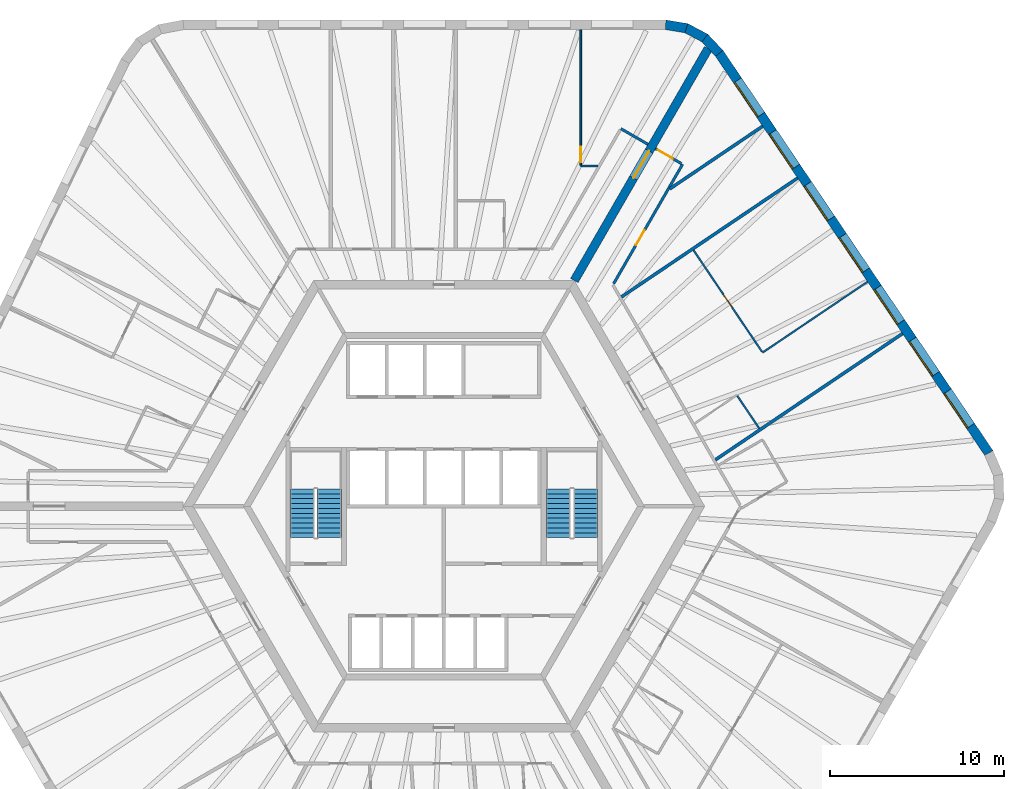
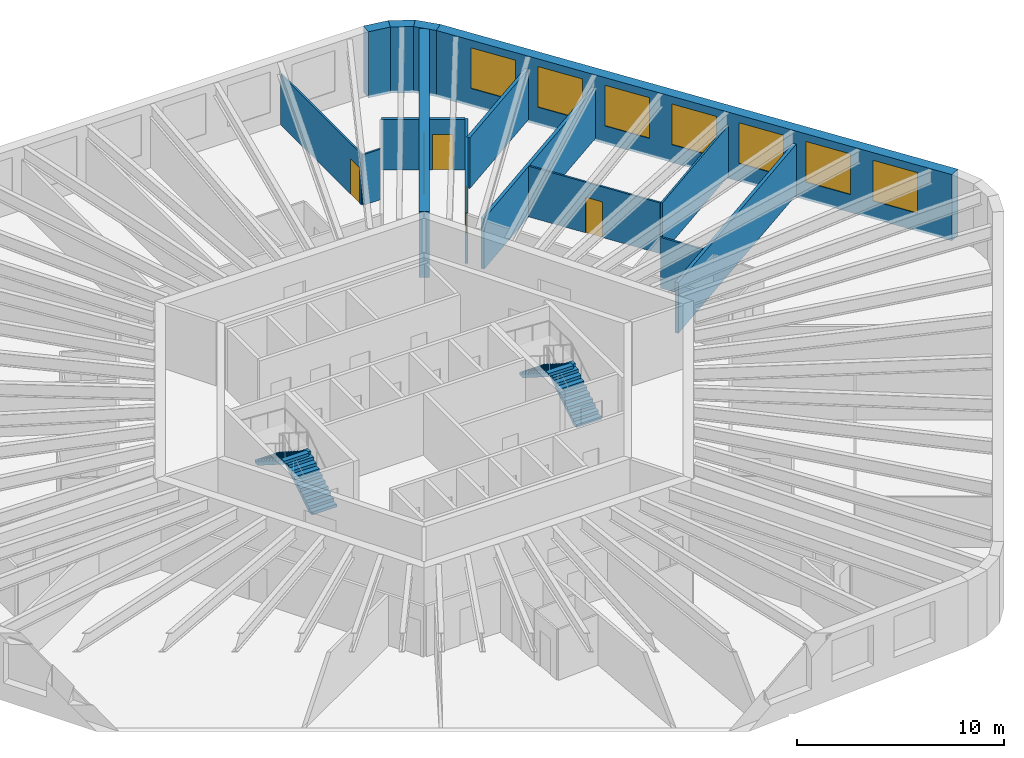
# One storey, part 8 of 9: 16 walls, 7 windows, 5 doors, 4 stair flights, 12 openings, 2 elements without a shape of their own.
"""IFC4 building model written with IfcOpenShell, lengths in metres."""

from ifc_helpers import new_model, si_unit, direction, frame, frame_2d, origin, place, context, subcontext, project, spatial, polyline, rectangle, outline, extrude, material, layer, layer_set, type_object, element, fill, aggregate, save


model = new_model("IFC4")

# Units and contexts
model_context = context("Model", 3, precision=1e-05, world=origin(), true_north=direction((0.0, 1.0)))
body_context = subcontext(model_context, "Body", "Model", "MODEL_VIEW")
ifc_project = project(units=[si_unit("LENGTHUNIT", "METRE"), si_unit("AREAUNIT", "SQUARE_METRE"), si_unit("VOLUMEUNIT", "CUBIC_METRE"), si_unit("PLANEANGLEUNIT", "RADIAN"), si_unit("MASSUNIT", "GRAM", prefix="KILO")], contexts=[model_context])

# Site, building, storey
site_placement = place(None, origin())
site = spatial("IfcSite", under=ifc_project, at=site_placement, CompositionType="ELEMENT")
building_placement = place(site_placement, origin())
building = spatial("IfcBuilding", under=site, at=building_placement, Name="Tarnside Tower", CompositionType="ELEMENT")
storey_placement = place(building_placement, frame((0.0, 0.0, 219.0)))
storey = spatial("IfcBuildingStorey", under=building, at=storey_placement, Name="L52", CompositionType="ELEMENT", Elevation=219.0)

# Wall
ifc_material_1 = material(Name="Gypsum board partition on steel studs", Category="steel")
ifc_layer_1 = layer(ifc_material_1, 0.10009765625)
ifc_layer_set_1 = layer_set([ifc_layer_1], Name="Bathroom wall 100")
wall_type_1 = type_object("IfcWallType", Name="Bathroom wall 100", PredefinedType="PARTITIONING", material=ifc_layer_set_1)
wall_1_placement = place(storey_placement, frame((16.886962890625, 6.36279296875, 0.0), z_axis=(0.0, 0.0, 1.0), x_axis=(0.559179660023, -0.829046505219, 0.0)))
element("IfcWall", 1, at=wall_1_placement, inside=storey, type_object=wall_type_1, Name="Bathroom wall 17095", PredefinedType="PARTITIONING", context=body_context, shape_type="SweptSolid", body=[
    extrude(rectangle(XDim=2.259765625, YDim=0.10009765625, at=frame_2d((1.1298828125, 0.0))), origin(), (0.0, 0.0, 1.0), 2.98779296875),
])

# Wall, opening, door
ifc_material_2 = material(Name="Concrete C70/85", Category="concrete")
ifc_layer_2 = layer(ifc_material_2, 0.5)
ifc_layer_set_2 = layer_set([ifc_layer_2], Name="Core wall Z2 500 C70/85")
wall_type_2 = type_object("IfcWallType", Name="Core wall Z2 500 C70/85", PredefinedType="SHEAR", material=ifc_layer_set_2)
wall_2_placement = place(storey_placement, frame((7.505615234375, 13.0, -0.14990234375), z_axis=(0.0, 0.0, 1.0), x_axis=(0.499988271576, 0.866032175087, 0.0)))
wall_2 = element("IfcWall", 2, at=wall_2_placement, inside=storey, type_object=wall_type_2, Name="L52 spine wall 1", PredefinedType="SHEAR", context=body_context, shape_type="SweptSolid", body=[
    extrude(rectangle(XDim=15.423583984375, YDim=0.5, at=frame_2d((7.7119140625, 0.0))), origin(), (0.0, 0.0, 1.0), 3.89990234375),
])
opening_1_placement = place(wall_2_placement, frame((6.811767578125, 0.0, 0.14990234375)))
opening_1 = element("IfcOpeningElement", 3, at=opening_1_placement, cuts=wall_2, Name="Opening CD-SPN", PredefinedType="OPENING", context=body_context, shape_type="SweptSolid", body=[
    extrude(rectangle(XDim=1.800048828125, YDim=2.39990234375, at=frame_2d((0.89990234375, 1.199951171875))), frame((0.0, 0.260009765625, 0.0), z_axis=(0.0, -1.0, 0.0), x_axis=(1.0, 0.0, 0.0)), (0.0, 0.0, 1.0), 0.52001953125),
])
ifc_material_3 = material(Name="Steel fire door", Category="steel")
door_type_1 = type_object("IfcDoorType", Name="Spine passage double door FD60 1800x2400", OperationType="NOTDEFINED", PredefinedType="DOOR", material=ifc_material_3)
door_1_placement = place(opening_1_placement, origin())
door_1 = element("IfcDoor", 4, at=door_1_placement, inside=storey, type_object=door_type_1, Name="L52 spine passage door 1", OperationType="DOUBLE_DOOR_SINGLE_SWING", OverallHeight=2.39990234375, OverallWidth=1.800048828125, PredefinedType="DOOR", context=body_context, shape_type="SweptSolid", body=[
    extrude(rectangle(XDim=1.800048828125, YDim=2.39990234375, at=frame_2d((0.89990234375, 1.199951171875))), frame((0.0, 0.02490234375, 0.0), z_axis=(0.0, -1.0, 0.0), x_axis=(1.0, 0.0, 0.0)), (0.0, 0.0, 1.0), 0.050048828125),
])
fill(opening_1, door_1)

# Wall
ifc_layer_3 = layer(ifc_material_1, 0.14990234375)
ifc_layer_set_3 = layer_set([ifc_layer_3], Name="Corridor wall 150 EI 60")
wall_type_3 = type_object("IfcWallType", Name="Corridor wall 150 EI 60", PredefinedType="PARTITIONING", material=ifc_layer_set_3)
wall_3_placement = place(storey_placement, frame((11.744873046875, 20.8427734375, 0.0), z_axis=(0.0, 0.0, 1.0), x_axis=(-0.865989075817, 0.500062916607, 0.0)))
element("IfcWall", 5, at=wall_3_placement, inside=storey, type_object=wall_type_3, Name="Corridor wall 17004", PredefinedType="PARTITIONING", context=body_context, shape_type="SweptSolid", body=[
    extrude(rectangle(XDim=1.800048828125, YDim=0.14990234375, at=frame_2d((0.89990234375, 0.0))), origin(), (0.0, 0.0, 1.0), 2.98779296875),
])

# Wall, opening, door
wall_4_placement = place(storey_placement, frame((9.771728515625, 12.824951171875, 0.0), z_axis=(0.0, 0.0, 1.0), x_axis=(0.499989830942, 0.866031274813, 0.0)))
wall_4 = element("IfcWall", 6, at=wall_4_placement, inside=storey, type_object=wall_type_3, Name="Corridor wall 17043", PredefinedType="PARTITIONING", context=body_context, shape_type="SweptSolid", body=[
    extrude(rectangle(XDim=7.930419921875, YDim=0.14990234375, at=frame_2d((3.96533203125, 0.0))), origin(), (0.0, 0.0, 1.0), 2.98779296875),
])
opening_2_placement = place(wall_4_placement, frame((2.552001953125, 0.0, 0.0)))
opening_2 = element("IfcOpeningElement", 7, at=opening_2_placement, cuts=wall_4, Name="Opening D-E1", PredefinedType="OPENING", context=body_context, shape_type="SweptSolid", body=[
    extrude(rectangle(XDim=1.0, YDim=2.10009765625, at=frame_2d((0.5, 1.050048828125))), frame((0.0, 0.0849609375, 0.0), z_axis=(0.0, -1.0, 0.0), x_axis=(1.0, 0.0, 0.0)), (0.0, 0.0, 1.0), 0.169921875),
])
ifc_material_4 = material(Name="Timber door leaf", Category="wood")
door_type_2 = type_object("IfcDoorType", Name="Unit entrance door 1000 FD30S", OperationType="NOTDEFINED", PredefinedType="DOOR", material=ifc_material_4)
door_2_placement = place(opening_2_placement, origin())
door_2 = element("IfcDoor", 8, at=door_2_placement, inside=storey, type_object=door_type_2, Name="Unit door 17032", OperationType="SINGLE_SWING_RIGHT", OverallHeight=2.10009765625, OverallWidth=1.0, PredefinedType="DOOR", context=body_context, shape_type="SweptSolid", body=[
    extrude(rectangle(XDim=1.0, YDim=2.10009765625, at=frame_2d((0.5, 1.050048828125))), frame((0.0, 0.02490234375, 0.0), z_axis=(0.0, -1.0, 0.0), x_axis=(1.0, 0.0, 0.0)), (0.0, 0.0, 1.0), 0.050048828125),
])
fill(opening_2, door_2)

wall_5_placement = place(storey_placement, frame((13.671875, 19.73046875, 0.0), z_axis=(0.0, 0.0, 1.0), x_axis=(-0.866074815912, 0.499914405916, 0.0)))
wall_5 = element("IfcWall", 9, at=wall_5_placement, inside=storey, type_object=wall_type_3, Name="Corridor wall 17045", PredefinedType="PARTITIONING", context=body_context, shape_type="SweptSolid", body=[
    extrude(rectangle(XDim=1.724853515625, YDim=0.14990234375, at=frame_2d((0.8623046875, 0.0))), origin(), (0.0, 0.0, 1.0), 2.98779296875),
])
opening_3_placement = place(wall_5_placement, frame((0.574951171875, 0.0, 0.0)))
opening_3 = element("IfcOpeningElement", 10, at=opening_3_placement, cuts=wall_5, Name="Opening D-E1", PredefinedType="OPENING", context=body_context, shape_type="SweptSolid", body=[
    extrude(rectangle(XDim=1.0, YDim=2.10009765625, at=frame_2d((0.5, 1.050048828125))), frame((0.0, 0.0849609375, 0.0), z_axis=(0.0, -1.0, 0.0), x_axis=(1.0, 0.0, 0.0)), (0.0, 0.0, 1.0), 0.169921875),
])
door_3_placement = place(opening_3_placement, origin())
door_3 = element("IfcDoor", 11, at=door_3_placement, inside=storey, type_object=door_type_2, Name="Unit door 17033", OperationType="SINGLE_SWING_LEFT", OverallHeight=2.10009765625, OverallWidth=1.0, PredefinedType="DOOR", context=body_context, shape_type="SweptSolid", body=[
    extrude(rectangle(XDim=1.0, YDim=2.10009765625, at=frame_2d((0.5, 1.050048828125))), frame((0.0, 0.02490234375, 0.0), z_axis=(0.0, -1.0, 0.0), x_axis=(1.0, 0.0, 0.0)), (0.0, 0.0, 1.0), 0.050048828125),
])
fill(opening_3, door_3)

# Walls
ifc_layer_4 = layer(ifc_material_1, 0.179931640625)
ifc_layer_set_4 = layer_set([ifc_layer_4], Name="Demising wall 180 EI 60")
wall_type_4 = type_object("IfcWallType", Name="Demising wall 180 EI 60", PredefinedType="PARTITIONING", material=ifc_layer_set_4)
wall_6_placement = place(storey_placement, frame((26.40185546875, 9.9462890625, 0.0), z_axis=(0.0, 0.0, 1.0), x_axis=(-0.829032022697, -0.559201131386, 0.0)))
element("IfcWall", 12, at=wall_6_placement, inside=storey, type_object=wall_type_4, Name="Demising wall 17092", PredefinedType="PARTITIONING", context=body_context, shape_type="SweptSolid", body=[
    extrude(rectangle(XDim=12.99462890625, YDim=0.179931640625, at=frame_2d((6.497314453125, 0.0))), origin(), (0.0, 0.0, 1.0), 2.98779296875),
])
wall_7_placement = place(storey_placement, frame((20.362548828125, 18.89990234375, 0.0), z_axis=(0.0, 0.0, 1.0), x_axis=(-0.829030622766, -0.559203206819, 0.0)))
element("IfcWall", 13, at=wall_7_placement, inside=storey, type_object=wall_type_4, Name="Demising wall 17098", PredefinedType="PARTITIONING", context=body_context, shape_type="SweptSolid", body=[
    extrude(rectangle(XDim=12.2392578125, YDim=0.179931640625, at=frame_2d((6.11962890625, 0.0))), origin(), (0.0, 0.0, 1.0), 2.98779296875),
])
wall_8_placement = place(storey_placement, frame((18.349609375, 21.88427734375, 0.0), z_axis=(0.0, 0.0, 1.0), x_axis=(-0.829047205772, -0.559178621374, 0.0)))
element("IfcWall", 14, at=wall_8_placement, inside=storey, type_object=wall_type_4, Name="Demising wall 17100", PredefinedType="PARTITIONING", context=body_context, shape_type="SweptSolid", body=[
    extrude(rectangle(XDim=6.442138671875, YDim=0.179931640625, at=frame_2d((3.22119140625, 0.0))), origin(), (0.0, 0.0, 1.0), 2.98779296875),
])
ifc_layer_5 = layer(ifc_material_1, 0.10009765625)
ifc_layer_set_5 = layer_set([ifc_layer_5], Name="Partition 100")
wall_type_5 = type_object("IfcWallType", Name="Partition 100", PredefinedType="PARTITIONING", material=ifc_layer_set_5)
wall_9_placement = place(storey_placement, frame((8.8623046875, 19.60009765625, 0.0), z_axis=(0.0, 0.0, 1.0), x_axis=(-1.0, 0.0, 0.0)))
element("IfcWall", 15, at=wall_9_placement, inside=storey, type_object=wall_type_5, Name="Partition wall 17048", PredefinedType="PARTITIONING", context=body_context, shape_type="SweptSolid", body=[
    extrude(rectangle(XDim=0.980224609375, YDim=0.10009765625, at=frame_2d((0.490234375, 0.0))), origin(), (0.0, 0.0, 1.0), 2.98779296875),
])

# Wall, opening, door
wall_10_placement = place(storey_placement, frame((7.882080078125, 19.64990234375, 0.0), z_axis=(0.0, 0.0, 1.0), x_axis=(0.0, 1.0, 0.0)))
wall_10 = element("IfcWall", 16, at=wall_10_placement, inside=storey, type_object=wall_type_5, Name="Partition wall 17049", PredefinedType="PARTITIONING", context=body_context, shape_type="SweptSolid", body=[
    extrude(rectangle(XDim=7.800048828125, YDim=0.10009765625, at=frame_2d((3.89990234375, 0.0))), origin(), (0.0, 0.0, 1.0), 2.98779296875),
])
opening_4_placement = place(wall_10_placement, frame((0.14990234375, 0.0, 0.0)))
opening_4 = element("IfcOpeningElement", 17, at=opening_4_placement, cuts=wall_10, Name="Opening D-I1", PredefinedType="OPENING", context=body_context, shape_type="SweptSolid", body=[
    extrude(rectangle(XDim=0.89990234375, YDim=2.10009765625, at=frame_2d((0.449951171875, 1.050048828125))), frame((0.0, 0.06005859375, 0.0), z_axis=(0.0, -1.0, 0.0), x_axis=(1.0, 0.0, 0.0)), (0.0, 0.0, 1.0), 0.1201171875),
])
door_type_3 = type_object("IfcDoorType", Name="Internal door 900", OperationType="NOTDEFINED", PredefinedType="DOOR", material=ifc_material_4)
door_4_placement = place(opening_4_placement, origin())
door_4 = element("IfcDoor", 18, at=door_4_placement, inside=storey, type_object=door_type_3, Name="Internal door 17003", OperationType="SINGLE_SWING_RIGHT", OverallHeight=2.10009765625, OverallWidth=0.89990234375, PredefinedType="DOOR", context=body_context, shape_type="SweptSolid", body=[
    extrude(rectangle(XDim=0.89990234375, YDim=2.10009765625, at=frame_2d((0.449951171875, 1.050048828125))), frame((0.0, 0.02490234375, 0.0), z_axis=(0.0, -1.0, 0.0), x_axis=(1.0, 0.0, 0.0)), (0.0, 0.0, 1.0), 0.050048828125),
])
fill(opening_4, door_4)

# Wall
wall_11_placement = place(storey_placement, frame((24.388671875, 12.9306640625, 0.0), z_axis=(0.0, 0.0, 1.0), x_axis=(-0.829029895244, -0.559204285383, 0.0)))
element("IfcWall", 19, at=wall_11_placement, inside=storey, type_object=wall_type_5, Name="Partition wall 17096", PredefinedType="PARTITIONING", context=body_context, shape_type="SweptSolid", body=[
    extrude(rectangle(XDim=7.291748046875, YDim=0.10009765625, at=frame_2d((3.64599609375, 0.0))), origin(), (0.0, 0.0, 1.0), 2.98779296875),
])

# Wall, opening, door
wall_12_placement = place(storey_placement, frame((18.3154296875, 8.89453125, 0.0), z_axis=(0.0, 0.0, 1.0), x_axis=(-0.559177045947, 0.829048268369, 0.0)))
wall_12 = element("IfcWall", 20, at=wall_12_placement, inside=storey, type_object=wall_type_5, Name="Partition wall 17097", PredefinedType="PARTITIONING", context=body_context, shape_type="SweptSolid", body=[
    extrude(rectangle(XDim=7.059814453125, YDim=0.10009765625, at=frame_2d((3.52978515625, 0.0))), origin(), (0.0, 0.0, 1.0), 2.98779296875),
])
opening_5_placement = place(wall_12_placement, frame((3.10009765625, 0.0, 0.0)))
opening_5 = element("IfcOpeningElement", 21, at=opening_5_placement, cuts=wall_12, Name="Opening D-I1", PredefinedType="OPENING", context=body_context, shape_type="SweptSolid", body=[
    extrude(rectangle(XDim=0.89990234375, YDim=2.10009765625, at=frame_2d((0.449951171875, 1.050048828125))), frame((0.0, 0.06005859375, 0.0), z_axis=(0.0, -1.0, 0.0), x_axis=(1.0, 0.0, 0.0)), (0.0, 0.0, 1.0), 0.1201171875),
])
door_5_placement = place(opening_5_placement, origin())
door_5 = element("IfcDoor", 22, at=door_5_placement, inside=storey, type_object=door_type_3, Name="Internal door 17031", OperationType="SINGLE_SWING_LEFT", OverallHeight=2.10009765625, OverallWidth=0.89990234375, PredefinedType="DOOR", context=body_context, shape_type="SweptSolid", body=[
    extrude(rectangle(XDim=0.89990234375, YDim=2.10009765625, at=frame_2d((0.449951171875, 1.050048828125))), frame((0.0, 0.02490234375, 0.0), z_axis=(0.0, -1.0, 0.0), x_axis=(1.0, 0.0, 0.0)), (0.0, 0.0, 1.0), 0.050048828125),
])
fill(opening_5, door_5)

# Wall, openings, windows
ifc_material_5 = material(Name="Facing brick", Category="masonry")
ifc_layer_6 = layer(ifc_material_5, 0.10205078125)
ifc_material_6 = material(Name="Concrete C60/75 precast", Category="concrete")
ifc_layer_7 = layer(ifc_material_6, 0.347900390625)
ifc_material_7 = material(Name="Mineral wool insulation")
ifc_layer_8 = layer(ifc_material_7, 0.10009765625)
ifc_layer_set_6 = layer_set([ifc_layer_6, ifc_layer_7, ifc_layer_8], Name="Tube wall 550 brick faced")
wall_type_6 = type_object("IfcWallType", Name="Tube wall 550 brick faced", PredefinedType="SOLIDWALL", material=ifc_layer_set_6)
wall_13_placement = place(storey_placement, frame((31.37109375, 3.070556640625, -0.14990234375), z_axis=(0.0, 0.0, 1.0), x_axis=(-0.559189891278, 0.829039604297, 0.0)))
wall_13 = element("IfcWall", 23, at=wall_13_placement, inside=storey, type_object=wall_type_6, Name="Tube wall L52 F6 flush 20", PredefinedType="SOLIDWALL", context=body_context, shape_type="SweptSolid", body=[
    extrude(outline(polyline([(-0.025634765625, -0.27490234375), (27.780517578125, -0.27490234375), (27.735595703125, 0.27490234375), (0.025634765625, 0.27490234375), (-0.025634765625, -0.27490234375)])), origin(), (0.0, 0.0, 1.0), 3.89990234375),
])
opening_6_placement = place(wall_13_placement, frame((1.87890625, 0.0, 1.050048828125)))
opening_6 = element("IfcOpeningElement", 24, at=opening_6_placement, cuts=wall_13, Name="Opening WH", PredefinedType="OPENING", context=body_context, shape_type="SweptSolid", body=[
    extrude(rectangle(XDim=2.39990234375, YDim=2.39990234375, at=frame_2d((1.199951171875, 1.199951171875))), frame((0.0, 0.28515625, 0.0), z_axis=(0.0, -1.0, 0.0), x_axis=(1.0, 0.0, 0.0)), (0.0, 0.0, 1.0), 0.570068359375),
])
opening_7_placement = place(wall_13_placement, frame((5.47900390625, 0.0, 1.050048828125)))
opening_7 = element("IfcOpeningElement", 25, at=opening_7_placement, cuts=wall_13, Name="Opening WH", PredefinedType="OPENING", context=body_context, shape_type="SweptSolid", body=[
    extrude(rectangle(XDim=2.39990234375, YDim=2.39990234375, at=frame_2d((1.199951171875, 1.199951171875))), frame((0.0, 0.28515625, 0.0), z_axis=(0.0, -1.0, 0.0), x_axis=(1.0, 0.0, 0.0)), (0.0, 0.0, 1.0), 0.570068359375),
])
opening_8_placement = place(wall_13_placement, frame((9.078857421875, 0.0, 1.050048828125)))
opening_8 = element("IfcOpeningElement", 26, at=opening_8_placement, cuts=wall_13, Name="Opening WH", PredefinedType="OPENING", context=body_context, shape_type="SweptSolid", body=[
    extrude(rectangle(XDim=2.39990234375, YDim=2.39990234375, at=frame_2d((1.199951171875, 1.199951171875))), frame((0.0, 0.28515625, 0.0), z_axis=(0.0, -1.0, 0.0), x_axis=(1.0, 0.0, 0.0)), (0.0, 0.0, 1.0), 0.570068359375),
])
opening_9_placement = place(wall_13_placement, frame((12.678955078125, 0.0, 1.050048828125)))
opening_9 = element("IfcOpeningElement", 27, at=opening_9_placement, cuts=wall_13, Name="Opening WH", PredefinedType="OPENING", context=body_context, shape_type="SweptSolid", body=[
    extrude(rectangle(XDim=2.39990234375, YDim=2.39990234375, at=frame_2d((1.199951171875, 1.199951171875))), frame((0.0, 0.28515625, 0.0), z_axis=(0.0, -1.0, 0.0), x_axis=(1.0, 0.0, 0.0)), (0.0, 0.0, 1.0), 0.570068359375),
])
opening_10_placement = place(wall_13_placement, frame((16.27880859375, 0.0, 1.050048828125)))
opening_10 = element("IfcOpeningElement", 28, at=opening_10_placement, cuts=wall_13, Name="Opening WH", PredefinedType="OPENING", context=body_context, shape_type="SweptSolid", body=[
    extrude(rectangle(XDim=2.39990234375, YDim=2.39990234375, at=frame_2d((1.199951171875, 1.199951171875))), frame((0.0, 0.28515625, 0.0), z_axis=(0.0, -1.0, 0.0), x_axis=(1.0, 0.0, 0.0)), (0.0, 0.0, 1.0), 0.570068359375),
])
opening_11_placement = place(wall_13_placement, frame((19.87890625, 0.0, 1.050048828125)))
opening_11 = element("IfcOpeningElement", 29, at=opening_11_placement, cuts=wall_13, Name="Opening WH", PredefinedType="OPENING", context=body_context, shape_type="SweptSolid", body=[
    extrude(rectangle(XDim=2.39990234375, YDim=2.39990234375, at=frame_2d((1.199951171875, 1.199951171875))), frame((0.0, 0.28515625, 0.0), z_axis=(0.0, -1.0, 0.0), x_axis=(1.0, 0.0, 0.0)), (0.0, 0.0, 1.0), 0.570068359375),
])
opening_12_placement = place(wall_13_placement, frame((23.47900390625, 0.0, 1.050048828125)))
opening_12 = element("IfcOpeningElement", 30, at=opening_12_placement, cuts=wall_13, Name="Opening WH", PredefinedType="OPENING", context=body_context, shape_type="SweptSolid", body=[
    extrude(rectangle(XDim=2.39990234375, YDim=2.39990234375, at=frame_2d((1.199951171875, 1.199951171875))), frame((0.0, 0.28515625, 0.0), z_axis=(0.0, -1.0, 0.0), x_axis=(1.0, 0.0, 0.0)), (0.0, 0.0, 1.0), 0.570068359375),
])
ifc_material_8 = material(Name="Aluminium-framed double glazing", Category="aluminium")
window_type = type_object("IfcWindowType", Name="Hotel window 2400 x 2400", PartitioningType="DOUBLE_PANEL_VERTICAL", PredefinedType="WINDOW", material=ifc_material_8)
window_1_placement = place(opening_6_placement, frame((0.0, 0.205078125, 0.0)))
window_1 = element("IfcWindow", 31, at=window_1_placement, inside=storey, type_object=window_type, Name="E.WN.L52.F6.00", OverallHeight=2.39990234375, OverallWidth=2.39990234375, PartitioningType="DOUBLE_PANEL_VERTICAL", PredefinedType="WINDOW", context=body_context, shape_type="SweptSolid", body=[
    extrude(rectangle(XDim=2.39990234375, YDim=2.39990234375, at=frame_2d((1.199951171875, 1.199951171875))), frame((0.0, 0.030029296875, 0.0), z_axis=(0.0, -1.0, 0.0), x_axis=(1.0, 0.0, 0.0)), (0.0, 0.0, 1.0), 0.06005859375),
])
fill(opening_6, window_1)
window_2_placement = place(opening_7_placement, frame((0.0, 0.205078125, 0.0)))
window_2 = element("IfcWindow", 32, at=window_2_placement, inside=storey, type_object=window_type, Name="E.WN.L52.F6.01", OverallHeight=2.39990234375, OverallWidth=2.39990234375, PartitioningType="DOUBLE_PANEL_VERTICAL", PredefinedType="WINDOW", context=body_context, shape_type="SweptSolid", body=[
    extrude(rectangle(XDim=2.39990234375, YDim=2.39990234375, at=frame_2d((1.199951171875, 1.199951171875))), frame((0.0, 0.030029296875, 0.0), z_axis=(0.0, -1.0, 0.0), x_axis=(1.0, 0.0, 0.0)), (0.0, 0.0, 1.0), 0.06005859375),
])
fill(opening_7, window_2)
window_3_placement = place(opening_8_placement, frame((0.0, 0.205078125, 0.0)))
window_3 = element("IfcWindow", 33, at=window_3_placement, inside=storey, type_object=window_type, Name="E.WN.L52.F6.02", OverallHeight=2.39990234375, OverallWidth=2.39990234375, PartitioningType="DOUBLE_PANEL_VERTICAL", PredefinedType="WINDOW", context=body_context, shape_type="SweptSolid", body=[
    extrude(rectangle(XDim=2.39990234375, YDim=2.39990234375, at=frame_2d((1.199951171875, 1.199951171875))), frame((0.0, 0.030029296875, 0.0), z_axis=(0.0, -1.0, 0.0), x_axis=(1.0, 0.0, 0.0)), (0.0, 0.0, 1.0), 0.06005859375),
])
fill(opening_8, window_3)
window_4_placement = place(opening_9_placement, frame((0.0, 0.205078125, 0.0)))
window_4 = element("IfcWindow", 34, at=window_4_placement, inside=storey, type_object=window_type, Name="E.WN.L52.F6.03", OverallHeight=2.39990234375, OverallWidth=2.39990234375, PartitioningType="DOUBLE_PANEL_VERTICAL", PredefinedType="WINDOW", context=body_context, shape_type="SweptSolid", body=[
    extrude(rectangle(XDim=2.39990234375, YDim=2.39990234375, at=frame_2d((1.199951171875, 1.199951171875))), frame((0.0, 0.030029296875, 0.0), z_axis=(0.0, -1.0, 0.0), x_axis=(1.0, 0.0, 0.0)), (0.0, 0.0, 1.0), 0.06005859375),
])
fill(opening_9, window_4)
window_5_placement = place(opening_10_placement, frame((0.0, 0.205078125, 0.0)))
window_5 = element("IfcWindow", 35, at=window_5_placement, inside=storey, type_object=window_type, Name="E.WN.L52.F6.04", OverallHeight=2.39990234375, OverallWidth=2.39990234375, PartitioningType="DOUBLE_PANEL_VERTICAL", PredefinedType="WINDOW", context=body_context, shape_type="SweptSolid", body=[
    extrude(rectangle(XDim=2.39990234375, YDim=2.39990234375, at=frame_2d((1.199951171875, 1.199951171875))), frame((0.0, 0.030029296875, 0.0), z_axis=(0.0, -1.0, 0.0), x_axis=(1.0, 0.0, 0.0)), (0.0, 0.0, 1.0), 0.06005859375),
])
fill(opening_10, window_5)
window_6_placement = place(opening_11_placement, frame((0.0, 0.205078125, 0.0)))
window_6 = element("IfcWindow", 36, at=window_6_placement, inside=storey, type_object=window_type, Name="E.WN.L52.F6.05", OverallHeight=2.39990234375, OverallWidth=2.39990234375, PartitioningType="DOUBLE_PANEL_VERTICAL", PredefinedType="WINDOW", context=body_context, shape_type="SweptSolid", body=[
    extrude(rectangle(XDim=2.39990234375, YDim=2.39990234375, at=frame_2d((1.199951171875, 1.199951171875))), frame((0.0, 0.030029296875, 0.0), z_axis=(0.0, -1.0, 0.0), x_axis=(1.0, 0.0, 0.0)), (0.0, 0.0, 1.0), 0.06005859375),
])
fill(opening_11, window_6)
window_7_placement = place(opening_12_placement, frame((0.0, 0.205078125, 0.0)))
window_7 = element("IfcWindow", 37, at=window_7_placement, inside=storey, type_object=window_type, Name="E.WN.L52.F6.06", OverallHeight=2.39990234375, OverallWidth=2.39990234375, PartitioningType="DOUBLE_PANEL_VERTICAL", PredefinedType="WINDOW", context=body_context, shape_type="SweptSolid", body=[
    extrude(rectangle(XDim=2.39990234375, YDim=2.39990234375, at=frame_2d((1.199951171875, 1.199951171875))), frame((0.0, 0.030029296875, 0.0), z_axis=(0.0, -1.0, 0.0), x_axis=(1.0, 0.0, 0.0)), (0.0, 0.0, 1.0), 0.06005859375),
])
fill(opening_12, window_7)

# Walls
wall_14_placement = place(storey_placement, frame((15.84912109375, 26.0830078125, -0.14990234375), z_axis=(0.0, 0.0, 1.0), x_axis=(-0.686196220404, 0.727416488061, 0.0)))
element("IfcWall", 38, at=wall_14_placement, inside=storey, type_object=wall_type_6, Name="Tube wall L52 F6 chord 21", PredefinedType="SOLIDWALL", context=body_context, shape_type="SweptSolid", body=[
    extrude(outline(polyline([(-0.0224609375, -0.27490234375), (1.25341796875, -0.27490234375), (1.1630859375, 0.27490234375), (0.0224609375, 0.27490234375), (-0.0224609375, -0.27490234375)])), origin(), (0.0, 0.0, 1.0), 3.89990234375),
])
wall_15_placement = place(storey_placement, frame((15.02001953125, 26.9619140625, -0.14990234375), z_axis=(0.0, 0.0, 1.0), x_axis=(-0.882950818639, 0.469465495926, 0.0)))
element("IfcWall", 39, at=wall_15_placement, inside=storey, type_object=wall_type_6, Name="Tube wall L52 F6 chord 22", PredefinedType="SOLIDWALL", context=body_context, shape_type="SweptSolid", body=[
    extrude(outline(polyline([(-0.045166015625, -0.27490234375), (1.253173828125, -0.27490234375), (1.162841796875, 0.27490234375), (0.045166015625, 0.27490234375), (-0.045166015625, -0.27490234375)])), origin(), (0.0, 0.0, 1.0), 3.89990234375),
])
wall_16_placement = place(storey_placement, frame((13.953369140625, 27.529052734375, -0.14990234375), z_axis=(0.0, 0.0, 1.0), x_axis=(-0.986751945211, 0.162236243244, 0.0)))
element("IfcWall", 40, at=wall_16_placement, inside=storey, type_object=wall_type_6, Name="Tube wall L52 F6 chord 23", PredefinedType="SOLIDWALL", context=body_context, shape_type="SweptSolid", body=[
    extrude(outline(polyline([(-0.045166015625, -0.27490234375), (1.23095703125, -0.27490234375), (1.18603515625, 0.27490234375), (0.045166015625, 0.27490234375), (-0.045166015625, -0.27490234375)])), origin(), (0.0, 0.0, 1.0), 3.89990234375),
])

# Stair, stair flights
ifc_material_9 = material(Name="Concrete C40/50", Category="concrete")
stair_type = type_object("IfcStairType", Name="Exit stair 1400 clear", PredefinedType="HALF_TURN_STAIR", material=ifc_material_9)
stair_1_placement = place(storey_placement, origin())
stair_1 = element("IfcStair", 41, at=stair_1_placement, inside=storey, type_object=stair_type, Name="L52 Exit stair 1", PredefinedType="HALF_TURN_STAIR")
stair_flight_type = type_object("IfcStairFlightType", Name="Exit stair flight 1400", PredefinedType="STRAIGHT", material=ifc_material_9)
stair_flight_1_placement = place(storey_placement, frame((8.14990234375, -1.800048828125, 0.0), z_axis=(0.0, 0.0, 1.0), x_axis=(0.0, 1.0, 0.0)))
stair_flight_1 = element("IfcStairFlight", 42, at=stair_flight_1_placement, type_object=stair_flight_type, Name="ST1 flight 1", NumberOfRisers=11, NumberOfTreads=10, PredefinedType="STRAIGHT", RiserHeight=0.177272727, TreadLength=0.28, context=body_context, shape_type="SweptSolid", body=[
    extrude(outline(polyline([(0.0, 0.0), (0.0, 0.17724609375), (0.280029296875, 0.17724609375), (0.280029296875, 0.3544921875), (0.56005859375, 0.3544921875), (0.56005859375, 0.53173828125), (0.840087890625, 0.53173828125), (0.840087890625, 0.708984375), (1.1201171875, 0.708984375), (1.1201171875, 0.886474609375), (1.39990234375, 0.886474609375), (1.39990234375, 1.063720703125), (1.679931640625, 1.063720703125), (1.679931640625, 1.240966796875), (1.9599609375, 1.240966796875), (1.9599609375, 1.418212890625), (2.239990234375, 1.418212890625), (2.239990234375, 1.595458984375), (2.52001953125, 1.595458984375), (2.52001953125, 1.772705078125), (2.800048828125, 1.772705078125), (2.800048828125, 1.949951171875), (2.800048828125, 1.59521484375), (0.2802734375, 0.0), (0.0, 0.0)])), frame((0.0, 0.699951171875, 0.0), z_axis=(0.0, -1.0, 0.0), x_axis=(1.0, 0.0, 0.0)), (0.0, 0.0, 1.0), 1.39990234375),
])
stair_flight_2_placement = place(storey_placement, frame((6.60009765625, 1.0, 1.949951171875), z_axis=(0.0, 0.0, 1.0), x_axis=(0.0, -1.0, 0.0)))
stair_flight_2 = element("IfcStairFlight", 43, at=stair_flight_2_placement, type_object=stair_flight_type, Name="ST1 flight 2", NumberOfRisers=11, NumberOfTreads=10, PredefinedType="STRAIGHT", RiserHeight=0.177272727, TreadLength=0.28, context=body_context, shape_type="SweptSolid", body=[
    extrude(outline(polyline([(0.0, 0.0), (0.0, 0.17724609375), (0.280029296875, 0.17724609375), (0.280029296875, 0.3544921875), (0.56005859375, 0.3544921875), (0.56005859375, 0.53173828125), (0.840087890625, 0.53173828125), (0.840087890625, 0.708984375), (1.1201171875, 0.708984375), (1.1201171875, 0.886474609375), (1.39990234375, 0.886474609375), (1.39990234375, 1.063720703125), (1.679931640625, 1.063720703125), (1.679931640625, 1.240966796875), (1.9599609375, 1.240966796875), (1.9599609375, 1.418212890625), (2.239990234375, 1.418212890625), (2.239990234375, 1.595458984375), (2.52001953125, 1.595458984375), (2.52001953125, 1.772705078125), (2.800048828125, 1.772705078125), (2.800048828125, 1.949951171875), (2.800048828125, 1.59521484375), (0.2802734375, 0.0), (0.0, 0.0)])), frame((0.0, 0.699951171875, 0.0), z_axis=(0.0, -1.0, 0.0), x_axis=(1.0, 0.0, 0.0)), (0.0, 0.0, 1.0), 1.39990234375),
])
aggregate(stair_1, [stair_flight_1, stair_flight_2])

stair_2_placement = place(storey_placement, origin())
stair_2 = element("IfcStair", 44, at=stair_2_placement, inside=storey, type_object=stair_type, Name="L52 Exit stair 2", PredefinedType="HALF_TURN_STAIR")
stair_flight_3_placement = place(storey_placement, frame((-6.60009765625, -1.800048828125, 0.0), z_axis=(0.0, 0.0, 1.0), x_axis=(0.0, 1.0, 0.0)))
stair_flight_3 = element("IfcStairFlight", 45, at=stair_flight_3_placement, type_object=stair_flight_type, Name="ST2 flight 1", NumberOfRisers=11, NumberOfTreads=10, PredefinedType="STRAIGHT", RiserHeight=0.177272727, TreadLength=0.28, context=body_context, shape_type="SweptSolid", body=[
    extrude(outline(polyline([(0.0, 0.0), (0.0, 0.17724609375), (0.280029296875, 0.17724609375), (0.280029296875, 0.3544921875), (0.56005859375, 0.3544921875), (0.56005859375, 0.53173828125), (0.840087890625, 0.53173828125), (0.840087890625, 0.708984375), (1.1201171875, 0.708984375), (1.1201171875, 0.886474609375), (1.39990234375, 0.886474609375), (1.39990234375, 1.063720703125), (1.679931640625, 1.063720703125), (1.679931640625, 1.240966796875), (1.9599609375, 1.240966796875), (1.9599609375, 1.418212890625), (2.239990234375, 1.418212890625), (2.239990234375, 1.595458984375), (2.52001953125, 1.595458984375), (2.52001953125, 1.772705078125), (2.800048828125, 1.772705078125), (2.800048828125, 1.949951171875), (2.800048828125, 1.59521484375), (0.2802734375, 0.0), (0.0, 0.0)])), frame((0.0, 0.699951171875, 0.0), z_axis=(0.0, -1.0, 0.0), x_axis=(1.0, 0.0, 0.0)), (0.0, 0.0, 1.0), 1.39990234375),
])
stair_flight_4_placement = place(storey_placement, frame((-8.14990234375, 1.0, 1.949951171875), z_axis=(0.0, 0.0, 1.0), x_axis=(0.0, -1.0, 0.0)))
stair_flight_4 = element("IfcStairFlight", 46, at=stair_flight_4_placement, type_object=stair_flight_type, Name="ST2 flight 2", NumberOfRisers=11, NumberOfTreads=10, PredefinedType="STRAIGHT", RiserHeight=0.177272727, TreadLength=0.28, context=body_context, shape_type="SweptSolid", body=[
    extrude(outline(polyline([(0.0, 0.0), (0.0, 0.17724609375), (0.280029296875, 0.17724609375), (0.280029296875, 0.3544921875), (0.56005859375, 0.3544921875), (0.56005859375, 0.53173828125), (0.840087890625, 0.53173828125), (0.840087890625, 0.708984375), (1.1201171875, 0.708984375), (1.1201171875, 0.886474609375), (1.39990234375, 0.886474609375), (1.39990234375, 1.063720703125), (1.679931640625, 1.063720703125), (1.679931640625, 1.240966796875), (1.9599609375, 1.240966796875), (1.9599609375, 1.418212890625), (2.239990234375, 1.418212890625), (2.239990234375, 1.595458984375), (2.52001953125, 1.595458984375), (2.52001953125, 1.772705078125), (2.800048828125, 1.772705078125), (2.800048828125, 1.949951171875), (2.800048828125, 1.59521484375), (0.2802734375, 0.0), (0.0, 0.0)])), frame((0.0, 0.699951171875, 0.0), z_axis=(0.0, -1.0, 0.0), x_axis=(1.0, 0.0, 0.0)), (0.0, 0.0, 1.0), 1.39990234375),
])
aggregate(stair_2, [stair_flight_3, stair_flight_4])

save(model, "model.ifc")
